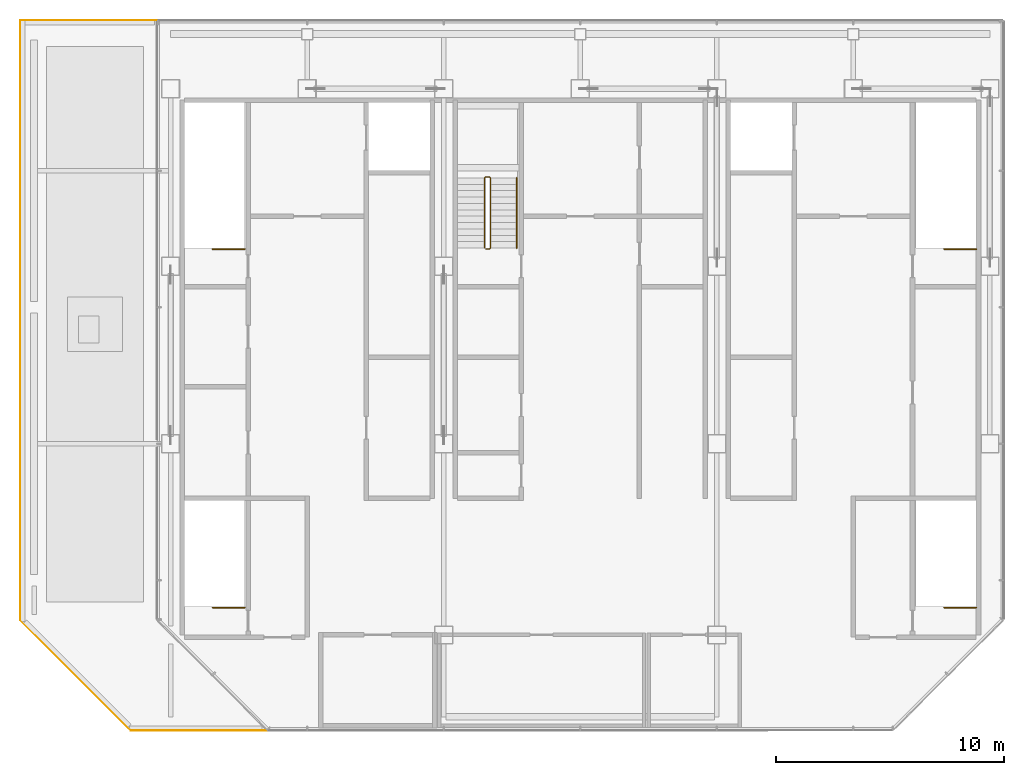
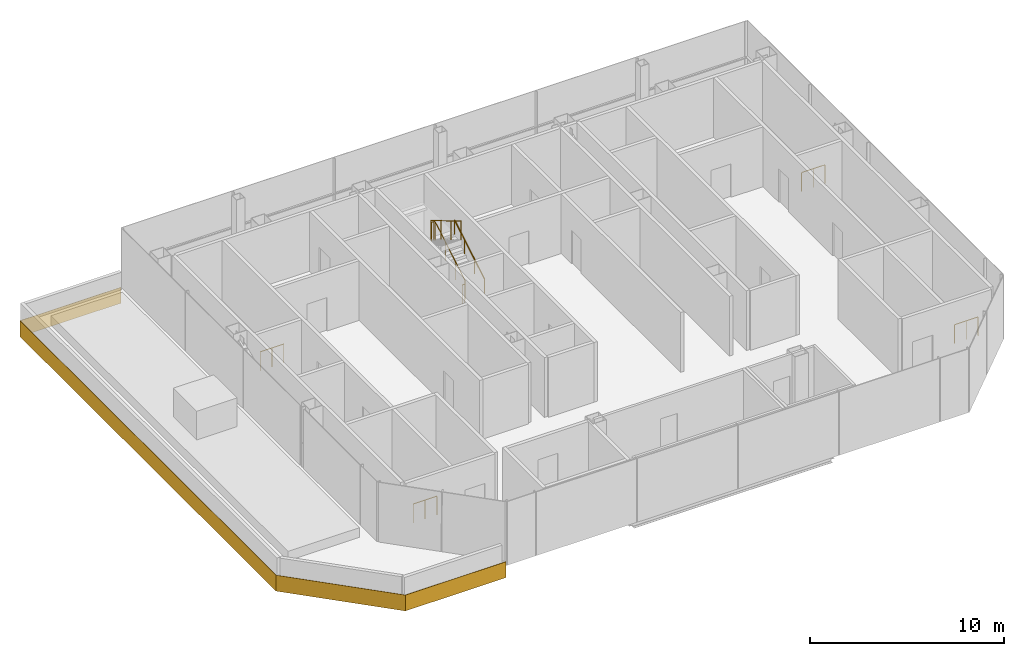
# One storey, part 11 of 12: 6 railings, 2 coverings.
"""IFC4 building model written with IfcOpenShell, lengths in metres."""

from ifc_helpers import new_model, si_unit, direction, frame, origin, origin_2d, place, context, subcontext, project, spatial, polyline, circle, outline, extrude, material, layer, layer_set, type_object, element, save


model = new_model("IFC4")

# Units and contexts
model_context = context("Model", 3, precision=1e-05, world=origin(), true_north=direction((0.0, 1.0)))
body_context = subcontext(model_context, "Body", "Model", "MODEL_VIEW")
ifc_project = project(units=[si_unit("LENGTHUNIT", "METRE"), si_unit("AREAUNIT", "SQUARE_METRE"), si_unit("VOLUMEUNIT", "CUBIC_METRE"), si_unit("PLANEANGLEUNIT", "RADIAN"), si_unit("MASSUNIT", "GRAM", prefix="KILO")], contexts=[model_context])

# Site, building, storey
site_placement = place(None, origin())
site = spatial("IfcSite", under=ifc_project, at=site_placement, CompositionType="ELEMENT")
building_placement = place(site_placement, origin())
building = spatial("IfcBuilding", under=site, at=building_placement, Name="Sorahane Residences", CompositionType="ELEMENT")
storey_placement = place(building_placement, frame((0.0, 0.0, 353.800048828125)))
storey = spatial("IfcBuildingStorey", under=building, at=storey_placement, Name="L84", CompositionType="ELEMENT", Elevation=353.800048828125)

# Coverings
ifc_material_1 = material(Name="Dark bronze aluminium", Category="aluminium")
ifc_layer = layer(ifc_material_1, 0.02001953125)
ifc_layer_set = layer_set([ifc_layer], Name="Edge fascia dark bronze aluminium 20")
covering_type = type_object("IfcCoveringType", Name="Edge fascia dark bronze aluminium 20", PredefinedType="CLADDING", material=ifc_layer_set)
covering_1_placement = place(storey_placement, frame((0.0, 0.0, -1.0)))
element("IfcCovering", 1, at=covering_1_placement, inside=storey, type_object=covering_type, Name="Edge fascia L84.1.1", PredefinedType="CLADDING", context=body_context, shape_type="SweptSolid", body=[
    extrude(outline(polyline([(5.389892578125, 48.62109375), (5.389892578125, 48.60107421875), (-0.60009765625, 48.60107421875), (-0.60009765625, 48.62109375), (5.389892578125, 48.62109375)])), origin(), (0.0, 0.0, 1.0), 1.0),
])
covering_2_placement = place(storey_placement, frame((0.0, 0.0, -1.0)))
element("IfcCovering", 2, at=covering_2_placement, inside=storey, type_object=covering_type, Name="Edge fascia L84.1.2", PredefinedType="CLADDING", context=body_context, shape_type="SweptSolid", body=[
    extrude(outline(polyline([(4.242919921875, 17.37890625), (-0.62109375, 22.242919921875), (-0.62109375, 48.60009765625), (-0.60107421875, 48.60009765625), (-0.60107421875, 22.251220703125), (4.251220703125, 17.39892578125), (10.2373046875, 17.39892578125), (10.2373046875, 17.37890625), (4.242919921875, 17.37890625)])), origin(), (0.0, 0.0, 1.0), 1.0),
])

# Railings
ifc_material_2 = material(Name="Steel Q355B", Category="steel")
railing_type_1 = type_object("IfcRailingType", Name="Stair guard 1200 Steel Q355B", PredefinedType="GUARDRAIL", material=ifc_material_2)
for number, where, name in (
    (3, (9.25, 38.550048828125, 0.0), "L84 S1 top well guard 1"),
    (4, (41.39990234375, 38.550048828125, 0.0), "L84 S2 top well guard 1"),
):
    element("IfcRailing", number, at=place(storey_placement, frame(where)), inside=storey, type_object=railing_type_1, Name=name, PredefinedType="GUARDRAIL", context=body_context, shape_type="SweptSolid", body=[
        extrude(circle(Radius=0.02392578125, at=origin_2d()), frame((0.0, 0.0, 1.17578125), z_axis=(-1.0, 0.0, 0.0), x_axis=(0.0, -1.0, 0.0)), (0.0, 0.0, 1.0), 1.39990234375),
        extrude(circle(Radius=0.02099609375, at=origin_2d()), origin(), (0.0, 0.0, 1.0), 1.15185546875),
        extrude(circle(Radius=0.02099609375, at=origin_2d()), frame((-0.699951171875, 0.0, 0.0)), (0.0, 0.0, 1.0), 1.15185546875),
        extrude(circle(Radius=0.02099609375, at=origin_2d()), frame((-1.39990234375, 0.0, 0.0)), (0.0, 0.0, 1.0), 1.15185546875),
    ])
railing_1_placement = place(storey_placement, frame((19.85009765625, 38.550048828125, 0.0)))
element("IfcRailing", 5, at=railing_1_placement, inside=storey, type_object=railing_type_1, Name="L84 S3 stair guard 1", PredefinedType="GUARDRAIL", context=body_context, shape_type="SweptSolid", body=[
    extrude(circle(Radius=0.02392578125, at=origin_2d()), frame((0.0, 0.0, 1.17578125), z_axis=(1.0, 0.0, 0.0), x_axis=(0.0, 1.0, 0.0)), (0.0, 0.0, 1.0), 0.14990234375),
    extrude(circle(Radius=0.02392578125, at=origin_2d()), frame((0.14990234375, 0.0, 1.17578125), z_axis=(0.27662974545, 0.27662974545, 0.920299933644), x_axis=(-0.707106781187, 0.707106781187, 0.0)), (0.0, 0.0, 1.0), 0.180908203125),
    extrude(circle(Radius=0.02392578125, at=origin_2d()), frame((0.199951171875, 0.050048828125, 1.34228515625), z_axis=(0.0, 0.859260807169, 0.511537745687), x_axis=(-1.0, 0.0, 0.0)), (0.0, 0.0, 1.0), 3.584228515625),
    extrude(circle(Radius=0.02392578125, at=origin_2d()), frame((0.199951171875, 3.1298828125, 3.17578125), z_axis=(-0.707106781187, 0.707106781187, 0.0), x_axis=(-0.707106781187, -0.707106781187, 0.0)), (0.0, 0.0, 1.0), 0.07080078125),
    extrude(circle(Radius=0.02392578125, at=origin_2d()), frame((0.14990234375, 3.179931640625, 3.17578125), z_axis=(-1.0, 0.0, 0.0), x_axis=(0.0, -1.0, 0.0)), (0.0, 0.0, 1.0), 0.14990234375),
    extrude(circle(Radius=0.02392578125, at=origin_2d()), frame((0.0, 3.179931640625, 3.17578125), z_axis=(-0.27662974545, -0.27662974545, 0.920299933644), x_axis=(0.707106781187, -0.707106781187, 0.0)), (0.0, 0.0, 1.0), 0.180908203125),
    extrude(circle(Radius=0.02392578125, at=origin_2d()), frame((-0.050048828125, 3.1298828125, 3.34228515625), z_axis=(0.0, -0.859260807169, 0.511537745687), x_axis=(1.0, 0.0, 0.0)), (0.0, 0.0, 1.0), 3.584228515625),
    extrude(circle(Radius=0.02099609375, at=origin_2d()), origin(), (0.0, 0.0, 1.0), 1.15185546875),
    extrude(circle(Radius=0.02099609375, at=origin_2d()), frame((0.14990234375, 0.0, 0.0)), (0.0, 0.0, 1.0), 1.15185546875),
    extrude(circle(Radius=0.02099609375, at=origin_2d()), frame((0.199951171875, 0.050048828125, 0.16650390625)), (0.0, 0.0, 1.0), 1.15185546875),
    extrude(circle(Radius=0.02099609375, at=origin_2d()), frame((0.199951171875, 1.07666015625, 0.777587890625)), (0.0, 0.0, 1.0), 1.15185546875),
    extrude(circle(Radius=0.02099609375, at=origin_2d()), frame((0.199951171875, 2.103271484375, 1.388916015625)), (0.0, 0.0, 1.0), 1.15185546875),
    extrude(circle(Radius=0.02099609375, at=origin_2d()), frame((0.199951171875, 3.1298828125, 2.0)), (0.0, 0.0, 1.0), 1.15185546875),
    extrude(circle(Radius=0.02099609375, at=origin_2d()), frame((0.14990234375, 3.179931640625, 2.0)), (0.0, 0.0, 1.0), 1.15185546875),
    extrude(circle(Radius=0.02099609375, at=origin_2d()), frame((0.0, 3.179931640625, 2.0)), (0.0, 0.0, 1.0), 1.15185546875),
    extrude(circle(Radius=0.02099609375, at=origin_2d()), frame((-0.050048828125, 3.1298828125, 2.16650390625)), (0.0, 0.0, 1.0), 1.15185546875),
    extrude(circle(Radius=0.02099609375, at=origin_2d()), frame((-0.050048828125, 2.103271484375, 2.777587890625)), (0.0, 0.0, 1.0), 1.15185546875),
    extrude(circle(Radius=0.02099609375, at=origin_2d()), frame((-0.050048828125, 1.07666015625, 3.388916015625)), (0.0, 0.0, 1.0), 1.15185546875),
    extrude(circle(Radius=0.02099609375, at=origin_2d()), frame((-0.050048828125, 0.050048828125, 4.0)), (0.0, 0.0, 1.0), 1.15185546875),
])
for number, where, name in (
    (6, (9.25, 22.800048828125, 0.0), "L84 S4 top well guard 1"),
    (7, (41.39990234375, 22.800048828125, 0.0), "L84 S5 top well guard 1"),
):
    element("IfcRailing", number, at=place(storey_placement, frame(where)), inside=storey, type_object=railing_type_1, Name=name, PredefinedType="GUARDRAIL", context=body_context, shape_type="SweptSolid", body=[
        extrude(circle(Radius=0.02392578125, at=origin_2d()), frame((0.0, 0.0, 1.17578125), z_axis=(-1.0, 0.0, 0.0), x_axis=(0.0, -1.0, 0.0)), (0.0, 0.0, 1.0), 1.39990234375),
        extrude(circle(Radius=0.02099609375, at=origin_2d()), origin(), (0.0, 0.0, 1.0), 1.15185546875),
        extrude(circle(Radius=0.02099609375, at=origin_2d()), frame((-0.699951171875, 0.0, 0.0)), (0.0, 0.0, 1.0), 1.15185546875),
        extrude(circle(Radius=0.02099609375, at=origin_2d()), frame((-1.39990234375, 0.0, 0.0)), (0.0, 0.0, 1.0), 1.15185546875),
    ])
ifc_material_3 = material(Name="Steel Q355B", Category="steel")
railing_type_2 = type_object("IfcRailingType", Name="Stair handrail 900 Steel Q355B", PredefinedType="HANDRAIL", material=ifc_material_3)
railing_2_placement = place(storey_placement, frame((21.199951171875, 38.60009765625, 0.16650390625)))
element("IfcRailing", 8, at=railing_2_placement, inside=storey, type_object=railing_type_2, Name="L84 S3 stair handrail 1", PredefinedType="HANDRAIL", context=body_context, shape_type="SweptSolid", body=[
    extrude(circle(Radius=0.02392578125, at=origin_2d()), frame((0.0, 0.0, 0.8759765625), z_axis=(0.0, 0.859260807169, 0.511537745687), x_axis=(-1.0, 0.0, 0.0)), (0.0, 0.0, 1.0), 3.584228515625),
    extrude(circle(Radius=0.02099609375, at=origin_2d()), origin(), (0.0, 0.0, 1.0), 0.851806640625),
    extrude(circle(Radius=0.02099609375, at=origin_2d()), frame((0.0, 1.026611328125, 0.611083984375)), (0.0, 0.0, 1.0), 0.851806640625),
    extrude(circle(Radius=0.02099609375, at=origin_2d()), frame((0.0, 2.05322265625, 1.222412109375)), (0.0, 0.0, 1.0), 0.851806640625),
    extrude(circle(Radius=0.02099609375, at=origin_2d()), frame((0.0, 3.079833984375, 1.83349609375)), (0.0, 0.0, 1.0), 0.851806640625),
])

save(model, "model.ifc")
